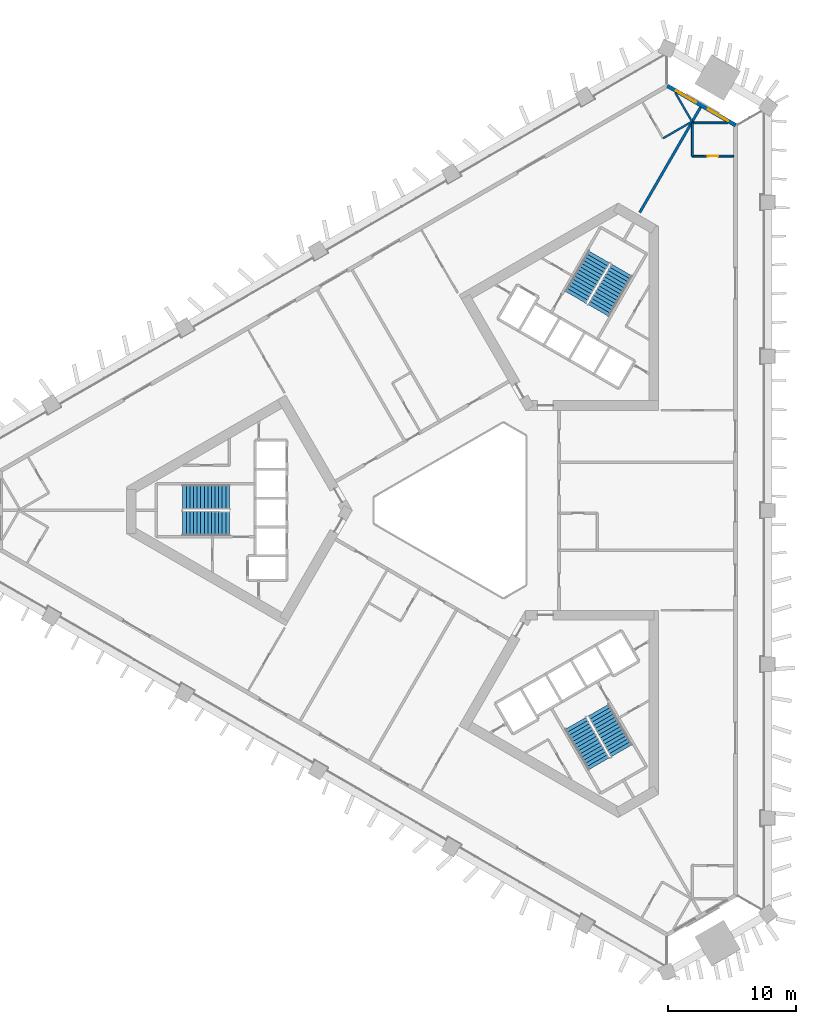
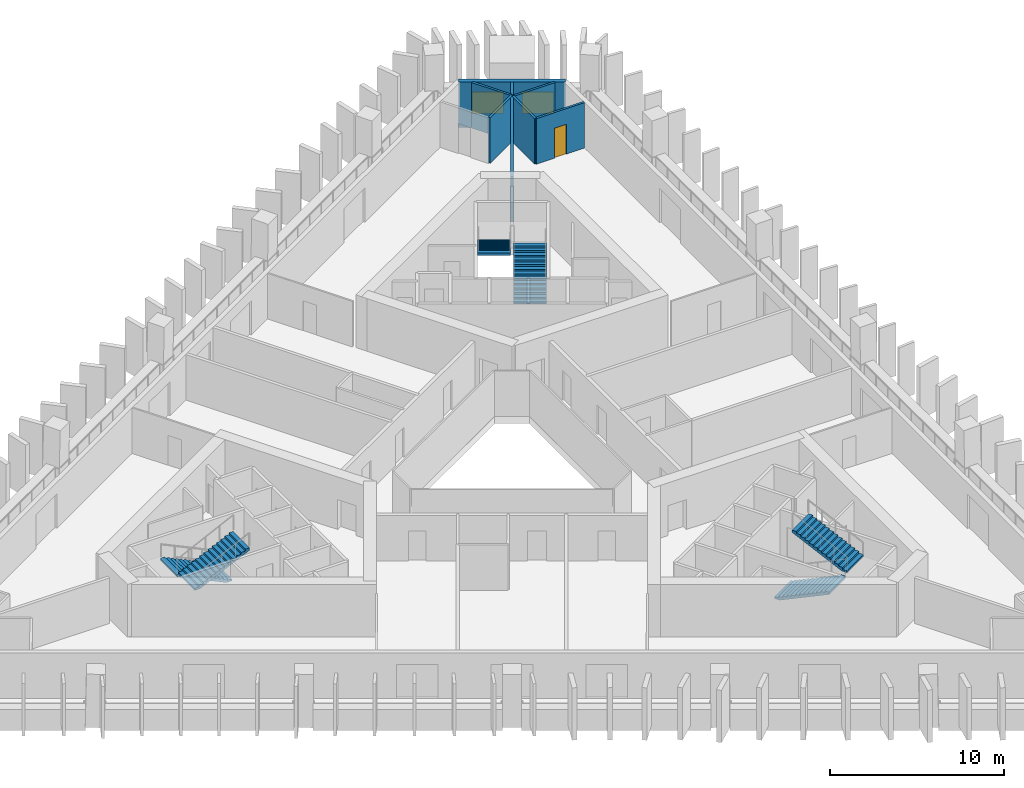
# One storey, part 7 of 11: 7 walls, 6 stair flights, 2 windows, 1 door, 3 openings, 3 elements without a shape of their own.
"""IFC4 building model written with IfcOpenShell, lengths in metres."""

from ifc_helpers import new_model, si_unit, direction, frame, frame_2d, origin, place, context, subcontext, project, spatial, polyline, rectangle, outline, extrude, material, layer, layer_set, type_object, element, fill, aggregate, save


model = new_model("IFC4")

# Units and contexts
model_context = context("Model", 3, precision=1e-05, world=origin(), true_north=direction((0.0, 1.0)))
body_context = subcontext(model_context, "Body", "Model", "MODEL_VIEW")
ifc_project = project(units=[si_unit("LENGTHUNIT", "METRE"), si_unit("AREAUNIT", "SQUARE_METRE"), si_unit("VOLUMEUNIT", "CUBIC_METRE"), si_unit("PLANEANGLEUNIT", "RADIAN"), si_unit("MASSUNIT", "GRAM", prefix="KILO")], contexts=[model_context])

# Site, building, storey
site_placement = place(None, origin())
site = spatial("IfcSite", under=ifc_project, at=site_placement, CompositionType="ELEMENT")
building_placement = place(site_placement, origin())
building = spatial("IfcBuilding", under=site, at=building_placement, Name="Jabali Bay Hotel Tower and Convention Centre", CompositionType="ELEMENT")
storey_placement = place(building_placement, frame((0.0, 0.0, 61.0)))
storey = spatial("IfcBuildingStorey", under=building, at=storey_placement, Name="L13", CompositionType="ELEMENT", Elevation=61.0)

# Wall, openings, windows
ifc_material_1 = material(Name="Concrete C40", Category="concrete")
ifc_layer_1 = layer(ifc_material_1, 0.300048828125)
ifc_layer_set_1 = layer_set([ifc_layer_1], Name="Concrete C40")
wall_type_1 = type_object("IfcWallType", Name="External wall 300", PredefinedType="SOLIDWALL", material=ifc_layer_set_1)
wall_1_placement = place(storey_placement, frame((90.5546875, 113.083984375, 0.0), z_axis=(0.0, 0.0, 1.0), x_axis=(0.866013487713, -0.500020638674, 0.0)))
wall_1 = element("IfcWall", 1, at=wall_1_placement, inside=storey, type_object=wall_type_1, Name="External wall north-east chamfer L13", PredefinedType="SOLIDWALL", context=body_context, shape_type="SweptSolid", body=[
    extrude(rectangle(XDim=6.142333984375, YDim=0.300048828125, at=frame_2d((3.0712890625, 0.0))), origin(), (0.0, 0.0, 1.0), 3.199951171875),
])
opening_1_placement = place(wall_1_placement, frame((3.65576171875, 0.0, 0.89990234375)))
opening_1 = element("IfcOpeningElement", 2, at=opening_1_placement, cuts=wall_1, Name="Opening W1", PredefinedType="OPENING", context=body_context, shape_type="SweptSolid", body=[
    extrude(rectangle(XDim=1.800048828125, YDim=1.5, at=frame_2d((0.89990234375, 0.75))), frame((0.0, 0.16064453125, 0.0), z_axis=(0.0, -1.0, 0.0), x_axis=(1.0, 0.0, 0.0)), (0.0, 0.0, 1.0), 0.321044921875),
])
opening_2_placement = place(wall_1_placement, frame((0.7705078125, 0.0, 0.89990234375)))
opening_2 = element("IfcOpeningElement", 3, at=opening_2_placement, cuts=wall_1, Name="Opening W1", PredefinedType="OPENING", context=body_context, shape_type="SweptSolid", body=[
    extrude(rectangle(XDim=1.800048828125, YDim=1.5, at=frame_2d((0.89990234375, 0.75))), frame((0.0, 0.16064453125, 0.0), z_axis=(0.0, -1.0, 0.0), x_axis=(1.0, 0.0, 0.0)), (0.0, 0.0, 1.0), 0.321044921875),
])
ifc_material_2 = material(Name="Glass", Category="glass")
window_type = type_object("IfcWindowType", Name="Window 1800 x 1500", PartitioningType="SINGLE_PANEL", PredefinedType="WINDOW", material=ifc_material_2)
window_1_placement = place(opening_1_placement, origin())
window_1 = element("IfcWindow", 4, at=window_1_placement, inside=storey, type_object=window_type, Name="Window 1303", OverallHeight=1.5, OverallWidth=1.800048828125, PartitioningType="SINGLE_PANEL", PredefinedType="WINDOW", context=body_context, shape_type="SweptSolid", body=[
    extrude(rectangle(XDim=1.800048828125, YDim=1.5, at=frame_2d((0.89990234375, 0.75))), frame((0.0, 0.030029296875, 0.0), z_axis=(0.0, -1.0, 0.0), x_axis=(1.0, 0.0, 0.0)), (0.0, 0.0, 1.0), 0.06005859375),
])
fill(opening_1, window_1)
window_2_placement = place(opening_2_placement, origin())
window_2 = element("IfcWindow", 5, at=window_2_placement, inside=storey, type_object=window_type, Name="Window 1304", OverallHeight=1.5, OverallWidth=1.800048828125, PartitioningType="SINGLE_PANEL", PredefinedType="WINDOW", context=body_context, shape_type="SweptSolid", body=[
    extrude(rectangle(XDim=1.800048828125, YDim=1.5, at=frame_2d((0.89990234375, 0.75))), frame((0.0, 0.030029296875, 0.0), z_axis=(0.0, -1.0, 0.0), x_axis=(1.0, 0.0, 0.0)), (0.0, 0.0, 1.0), 0.06005859375),
])
fill(opening_2, window_2)

# Wall, opening, door
ifc_material_3 = material(Name="Plasterboard on steel stud", Category="steel")
ifc_layer_2 = layer(ifc_material_3, 0.14990234375)
ifc_layer_set_2 = layer_set([ifc_layer_2], Name="Plasterboard on steel stud")
wall_type_2 = type_object("IfcWallType", Name="Partition 150 wet", PredefinedType="PARTITIONING", material=ifc_layer_set_2)
wall_2_placement = place(storey_placement, frame((95.72509765625, 107.61328125, 0.0), z_axis=(0.0, 0.0, 1.0), x_axis=(-0.999982552355, -0.005907197749, 0.0)))
wall_2 = element("IfcWall", 6, at=wall_2_placement, inside=storey, type_object=wall_type_2, Name="Partition P03 L13 012", PredefinedType="PARTITIONING", context=body_context, shape_type="SweptSolid", body=[
    extrude(rectangle(XDim=3.2236328125, YDim=0.14990234375, at=frame_2d((1.61181640625, 0.0))), origin(), (0.0, 0.0, 1.0), 3.199951171875),
])
opening_3_placement = place(wall_2_placement, frame((1.2119140625, 0.0, 0.0)))
opening_3 = element("IfcOpeningElement", 7, at=opening_3_placement, cuts=wall_2, Name="Opening 1308", PredefinedType="OPENING", context=body_context, shape_type="SweptSolid", body=[
    extrude(rectangle(XDim=0.800048828125, YDim=2.10009765625, at=frame_2d((0.39990234375, 1.050048828125))), frame((0.0, 0.08544921875, 0.0), z_axis=(0.0, -1.0, 0.0), x_axis=(1.0, 0.0, 0.0)), (0.0, 0.0, 1.0), 0.1708984375),
])
ifc_material_4 = material(Name="Timber", Category="wood")
door_type = type_object("IfcDoorType", Name="En-suite door 800 x 2100", OperationType="NOTDEFINED", PredefinedType="NOTDEFINED", material=ifc_material_4)
door_placement = place(opening_3_placement, origin())
door = element("IfcDoor", 8, at=door_placement, inside=storey, type_object=door_type, Name="Door 1308", OperationType="SINGLE_SWING_LEFT", OverallHeight=2.10009765625, OverallWidth=0.800048828125, PredefinedType="NOTDEFINED", context=body_context, shape_type="SweptSolid", body=[
    extrude(rectangle(XDim=0.800048828125, YDim=2.10009765625, at=frame_2d((0.39990234375, 1.050048828125))), frame((0.0, 0.02490234375, 0.0), z_axis=(0.0, -1.0, 0.0), x_axis=(1.0, 0.0, 0.0)), (0.0, 0.0, 1.0), 0.050048828125),
])
fill(opening_3, door)

# Walls
wall_3_placement = place(storey_placement, frame((92.50146484375, 107.59423828125, 0.0), z_axis=(0.0, 0.0, 1.0), x_axis=(0.0, 1.0, 0.0)))
element("IfcWall", 9, at=wall_3_placement, inside=storey, type_object=wall_type_2, Name="Partition P03 L13 013", PredefinedType="PARTITIONING", context=body_context, shape_type="SweptSolid", body=[
    extrude(rectangle(XDim=2.60009765625, YDim=0.14990234375, at=frame_2d((1.300048828125, 0.0))), origin(), (0.0, 0.0, 1.0), 3.199951171875),
])
wall_4_placement = place(storey_placement, frame((92.50146484375, 110.1943359375, 0.0), z_axis=(0.0, 0.0, 1.0), x_axis=(1.0, 0.0, 0.0)))
element("IfcWall", 10, at=wall_4_placement, inside=storey, type_object=wall_type_2, Name="Partition P03 L13 014", PredefinedType="PARTITIONING", context=body_context, shape_type="SweptSolid", body=[
    extrude(rectangle(XDim=2.76025390625, YDim=0.14990234375, at=frame_2d((1.380126953125, 0.0))), origin(), (0.0, 0.0, 1.0), 3.199951171875),
])
wall_5_placement = place(storey_placement, frame((91.16357421875, 112.560302734375, 0.0), z_axis=(0.0, 0.0, 1.0), x_axis=(0.500005339912, -0.866022320763, 0.0)))
element("IfcWall", 11, at=wall_5_placement, inside=storey, type_object=wall_type_2, Name="Partition P03 L13 018", PredefinedType="PARTITIONING", context=body_context, shape_type="SweptSolid", body=[
    extrude(rectangle(XDim=2.61474609375, YDim=0.14990234375, at=frame_2d((1.307373046875, 0.0))), origin(), (0.0, 0.0, 1.0), 3.199951171875),
])
wall_6_placement = place(storey_placement, frame((92.470947265625, 110.2958984375, 0.0), z_axis=(0.0, 0.0, 1.0), x_axis=(-0.866021400173, -0.500006934395, 0.0)))
element("IfcWall", 12, at=wall_6_placement, inside=storey, type_object=wall_type_2, Name="Partition P03 L13 019", PredefinedType="PARTITIONING", context=body_context, shape_type="SweptSolid", body=[
    extrude(rectangle(XDim=2.60009765625, YDim=0.14990234375, at=frame_2d((1.300048828125, 0.0))), origin(), (0.0, 0.0, 1.0), 3.199951171875),
])
ifc_layer_3 = layer(ifc_material_3, 0.199951171875)
ifc_layer_set_3 = layer_set([ifc_layer_3], Name="Plasterboard on steel stud")
wall_type_3 = type_object("IfcWallType", Name="Partition 200 party", PredefinedType="PARTITIONING", material=ifc_layer_set_3)
wall_7_placement = place(storey_placement, frame((93.139892578125, 111.419189453125, 0.0), z_axis=(0.0, 0.0, 1.0), x_axis=(-0.499990030109, -0.866031159827, 0.0)))
element("IfcWall", 13, at=wall_7_placement, inside=storey, type_object=wall_type_3, Name="Partition P01 L13 015", PredefinedType="PARTITIONING", context=body_context, shape_type="SweptSolid", body=[
    extrude(rectangle(XDim=9.477783203125, YDim=0.199951171875, at=frame_2d((4.73876953125, 0.0))), origin(), (0.0, 0.0, 1.0), 3.199951171875),
])

# Stair, stair flights
stair_type = type_object("IfcStairType", Name="Exit stair 1900", PredefinedType="HALF_TURN_STAIR", material=ifc_material_1)
stair_1_placement = place(storey_placement, origin())
stair_1 = element("IfcStair", 14, at=stair_1_placement, inside=storey, type_object=stair_type, Name="L13 Exit Stair 1", PredefinedType="HALF_TURN_STAIR")
stair_flight_type = type_object("IfcStairFlightType", Name="Stair flight concrete 150", PredefinedType="STRAIGHT", material=ifc_material_1)
stair_flight_1_placement = place(storey_placement, frame((56.419921875, 81.02490234375, 0.0), z_axis=(0.0, 0.0, 1.0), x_axis=(-1.0, 0.0, 0.0)))
stair_flight_1 = element("IfcStairFlight", 15, at=stair_flight_1_placement, type_object=stair_flight_type, Name="ST1 flight 1", NumberOfRisers=14, NumberOfTreads=13, PredefinedType="STRAIGHT", RiserHeight=0.132142857, TreadLength=0.28, context=body_context, shape_type="SweptSolid", body=[
    extrude(outline(polyline([(0.0, 0.0), (0.0, 0.132080078125), (0.280029296875, 0.132080078125), (0.280029296875, 0.264404296875), (0.56005859375, 0.264404296875), (0.56005859375, 0.396484375), (0.840087890625, 0.396484375), (0.840087890625, 0.528564453125), (1.1201171875, 0.528564453125), (1.1201171875, 0.66064453125), (1.39990234375, 0.66064453125), (1.39990234375, 0.79296875), (1.679931640625, 0.79296875), (1.679931640625, 0.925048828125), (1.9599609375, 0.925048828125), (1.9599609375, 1.05712890625), (2.239990234375, 1.05712890625), (2.239990234375, 1.189208984375), (2.52001953125, 1.189208984375), (2.52001953125, 1.321533203125), (2.800048828125, 1.321533203125), (2.800048828125, 1.45361328125), (3.080078125, 1.45361328125), (3.080078125, 1.585693359375), (3.360107421875, 1.585693359375), (3.360107421875, 1.7177734375), (3.639892578125, 1.7177734375), (3.639892578125, 1.85009765625), (3.639892578125, 1.552001953125), (0.351318359375, 0.0), (0.0, 0.0)])), frame((0.0, 0.949951171875, 0.0), z_axis=(0.0, -1.0, 0.0), x_axis=(1.0, 0.0, 0.0)), (0.0, 0.0, 1.0), 1.89990234375),
])
stair_flight_2_placement = place(storey_placement, frame((52.780029296875, 78.97509765625, 1.85009765625), z_axis=(0.0, 0.0, 1.0), x_axis=(1.0, 0.0, 0.0)))
stair_flight_2 = element("IfcStairFlight", 16, at=stair_flight_2_placement, type_object=stair_flight_type, Name="ST1 flight 2", NumberOfRisers=14, NumberOfTreads=13, PredefinedType="STRAIGHT", RiserHeight=0.132142857, TreadLength=0.28, context=body_context, shape_type="SweptSolid", body=[
    extrude(outline(polyline([(0.0, 0.0), (0.0, 0.132080078125), (0.280029296875, 0.132080078125), (0.280029296875, 0.264404296875), (0.56005859375, 0.264404296875), (0.56005859375, 0.396484375), (0.840087890625, 0.396484375), (0.840087890625, 0.528564453125), (1.1201171875, 0.528564453125), (1.1201171875, 0.66064453125), (1.39990234375, 0.66064453125), (1.39990234375, 0.79296875), (1.679931640625, 0.79296875), (1.679931640625, 0.925048828125), (1.9599609375, 0.925048828125), (1.9599609375, 1.05712890625), (2.239990234375, 1.05712890625), (2.239990234375, 1.189208984375), (2.52001953125, 1.189208984375), (2.52001953125, 1.321533203125), (2.800048828125, 1.321533203125), (2.800048828125, 1.45361328125), (3.080078125, 1.45361328125), (3.080078125, 1.585693359375), (3.360107421875, 1.585693359375), (3.360107421875, 1.7177734375), (3.639892578125, 1.7177734375), (3.639892578125, 1.85009765625), (3.639892578125, 1.552001953125), (0.351318359375, 0.0), (0.0, 0.0)])), frame((0.0, 0.949951171875, 0.0), z_axis=(0.0, -1.0, 0.0), x_axis=(1.0, 0.0, 0.0)), (0.0, 0.0, 1.0), 1.89990234375),
])
aggregate(stair_1, [stair_flight_1, stair_flight_2])

stair_2_placement = place(storey_placement, origin())
stair_2 = element("IfcStair", 17, at=stair_2_placement, inside=storey, type_object=stair_type, Name="L13 Exit Stair 2", PredefinedType="HALF_TURN_STAIR")
stair_flight_3_placement = place(storey_placement, frame((85.177734375, 95.578369140625, 0.0), z_axis=(0.0, 0.0, 1.0), x_axis=(0.5, 0.866025403784, 0.0)))
stair_flight_3 = element("IfcStairFlight", 18, at=stair_flight_3_placement, type_object=stair_flight_type, Name="ST2 flight 1", NumberOfRisers=14, NumberOfTreads=13, PredefinedType="STRAIGHT", RiserHeight=0.132142857, TreadLength=0.28, context=body_context, shape_type="SweptSolid", body=[
    extrude(outline(polyline([(0.0, 0.0), (0.0, 0.132080078125), (0.280029296875, 0.132080078125), (0.280029296875, 0.264404296875), (0.56005859375, 0.264404296875), (0.56005859375, 0.396484375), (0.840087890625, 0.396484375), (0.840087890625, 0.528564453125), (1.1201171875, 0.528564453125), (1.1201171875, 0.66064453125), (1.39990234375, 0.66064453125), (1.39990234375, 0.79296875), (1.679931640625, 0.79296875), (1.679931640625, 0.925048828125), (1.9599609375, 0.925048828125), (1.9599609375, 1.05712890625), (2.239990234375, 1.05712890625), (2.239990234375, 1.189208984375), (2.52001953125, 1.189208984375), (2.52001953125, 1.321533203125), (2.800048828125, 1.321533203125), (2.800048828125, 1.45361328125), (3.080078125, 1.45361328125), (3.080078125, 1.585693359375), (3.360107421875, 1.585693359375), (3.360107421875, 1.7177734375), (3.639892578125, 1.7177734375), (3.639892578125, 1.85009765625), (3.639892578125, 1.552001953125), (0.351318359375, 0.0), (0.0, 0.0)])), frame((0.0, 0.949951171875, 0.0), z_axis=(0.0, -1.0, 0.0), x_axis=(1.0, 0.0, 0.0)), (0.0, 0.0, 1.0), 1.89990234375),
])
stair_flight_4_placement = place(storey_placement, frame((85.222412109375, 99.755615234375, 1.85009765625), z_axis=(0.0, 0.0, 1.0), x_axis=(-0.5, -0.866025403784, 0.0)))
stair_flight_4 = element("IfcStairFlight", 19, at=stair_flight_4_placement, type_object=stair_flight_type, Name="ST2 flight 2", NumberOfRisers=14, NumberOfTreads=13, PredefinedType="STRAIGHT", RiserHeight=0.132142857, TreadLength=0.28, context=body_context, shape_type="SweptSolid", body=[
    extrude(outline(polyline([(0.0, 0.0), (0.0, 0.132080078125), (0.280029296875, 0.132080078125), (0.280029296875, 0.264404296875), (0.56005859375, 0.264404296875), (0.56005859375, 0.396484375), (0.840087890625, 0.396484375), (0.840087890625, 0.528564453125), (1.1201171875, 0.528564453125), (1.1201171875, 0.66064453125), (1.39990234375, 0.66064453125), (1.39990234375, 0.79296875), (1.679931640625, 0.79296875), (1.679931640625, 0.925048828125), (1.9599609375, 0.925048828125), (1.9599609375, 1.05712890625), (2.239990234375, 1.05712890625), (2.239990234375, 1.189208984375), (2.52001953125, 1.189208984375), (2.52001953125, 1.321533203125), (2.800048828125, 1.321533203125), (2.800048828125, 1.45361328125), (3.080078125, 1.45361328125), (3.080078125, 1.585693359375), (3.360107421875, 1.585693359375), (3.360107421875, 1.7177734375), (3.639892578125, 1.7177734375), (3.639892578125, 1.85009765625), (3.639892578125, 1.552001953125), (0.351318359375, 0.0), (0.0, 0.0)])), frame((0.0, 0.949951171875, 0.0), z_axis=(0.0, -1.0, 0.0), x_axis=(1.0, 0.0, 0.0)), (0.0, 0.0, 1.0), 1.89990234375),
])
aggregate(stair_2, [stair_flight_3, stair_flight_4])

stair_3_placement = place(storey_placement, origin())
stair_3 = element("IfcStair", 20, at=stair_3_placement, inside=storey, type_object=stair_type, Name="L13 Exit Stair 3", PredefinedType="HALF_TURN_STAIR")
stair_flight_5_placement = place(storey_placement, frame((83.40234375, 63.396728515625, 0.0), z_axis=(0.0, 0.0, 1.0), x_axis=(0.5, -0.866025403784, 0.0)))
stair_flight_5 = element("IfcStairFlight", 21, at=stair_flight_5_placement, type_object=stair_flight_type, Name="ST3 flight 1", NumberOfRisers=14, NumberOfTreads=13, PredefinedType="STRAIGHT", RiserHeight=0.132142857, TreadLength=0.28, context=body_context, shape_type="SweptSolid", body=[
    extrude(outline(polyline([(0.0, 0.0), (0.0, 0.132080078125), (0.280029296875, 0.132080078125), (0.280029296875, 0.264404296875), (0.56005859375, 0.264404296875), (0.56005859375, 0.396484375), (0.840087890625, 0.396484375), (0.840087890625, 0.528564453125), (1.1201171875, 0.528564453125), (1.1201171875, 0.66064453125), (1.39990234375, 0.66064453125), (1.39990234375, 0.79296875), (1.679931640625, 0.79296875), (1.679931640625, 0.925048828125), (1.9599609375, 0.925048828125), (1.9599609375, 1.05712890625), (2.239990234375, 1.05712890625), (2.239990234375, 1.189208984375), (2.52001953125, 1.189208984375), (2.52001953125, 1.321533203125), (2.800048828125, 1.321533203125), (2.800048828125, 1.45361328125), (3.080078125, 1.45361328125), (3.080078125, 1.585693359375), (3.360107421875, 1.585693359375), (3.360107421875, 1.7177734375), (3.639892578125, 1.7177734375), (3.639892578125, 1.85009765625), (3.639892578125, 1.552001953125), (0.351318359375, 0.0), (0.0, 0.0)])), frame((0.0, 0.949951171875, 0.0), z_axis=(0.0, -1.0, 0.0), x_axis=(1.0, 0.0, 0.0)), (0.0, 0.0, 1.0), 1.89990234375),
])
stair_flight_6_placement = place(storey_placement, frame((86.99755859375, 61.26953125, 1.85009765625), z_axis=(0.0, 0.0, 1.0), x_axis=(-0.5, 0.866025403784, 0.0)))
stair_flight_6 = element("IfcStairFlight", 22, at=stair_flight_6_placement, type_object=stair_flight_type, Name="ST3 flight 2", NumberOfRisers=14, NumberOfTreads=13, PredefinedType="STRAIGHT", RiserHeight=0.132142857, TreadLength=0.28, context=body_context, shape_type="SweptSolid", body=[
    extrude(outline(polyline([(0.0, 0.0), (0.0, 0.132080078125), (0.280029296875, 0.132080078125), (0.280029296875, 0.264404296875), (0.56005859375, 0.264404296875), (0.56005859375, 0.396484375), (0.840087890625, 0.396484375), (0.840087890625, 0.528564453125), (1.1201171875, 0.528564453125), (1.1201171875, 0.66064453125), (1.39990234375, 0.66064453125), (1.39990234375, 0.79296875), (1.679931640625, 0.79296875), (1.679931640625, 0.925048828125), (1.9599609375, 0.925048828125), (1.9599609375, 1.05712890625), (2.239990234375, 1.05712890625), (2.239990234375, 1.189208984375), (2.52001953125, 1.189208984375), (2.52001953125, 1.321533203125), (2.800048828125, 1.321533203125), (2.800048828125, 1.45361328125), (3.080078125, 1.45361328125), (3.080078125, 1.585693359375), (3.360107421875, 1.585693359375), (3.360107421875, 1.7177734375), (3.639892578125, 1.7177734375), (3.639892578125, 1.85009765625), (3.639892578125, 1.552001953125), (0.351318359375, 0.0), (0.0, 0.0)])), frame((0.0, 0.949951171875, 0.0), z_axis=(0.0, -1.0, 0.0), x_axis=(1.0, 0.0, 0.0)), (0.0, 0.0, 1.0), 1.89990234375),
])
aggregate(stair_3, [stair_flight_5, stair_flight_6])

save(model, "model.ifc")
